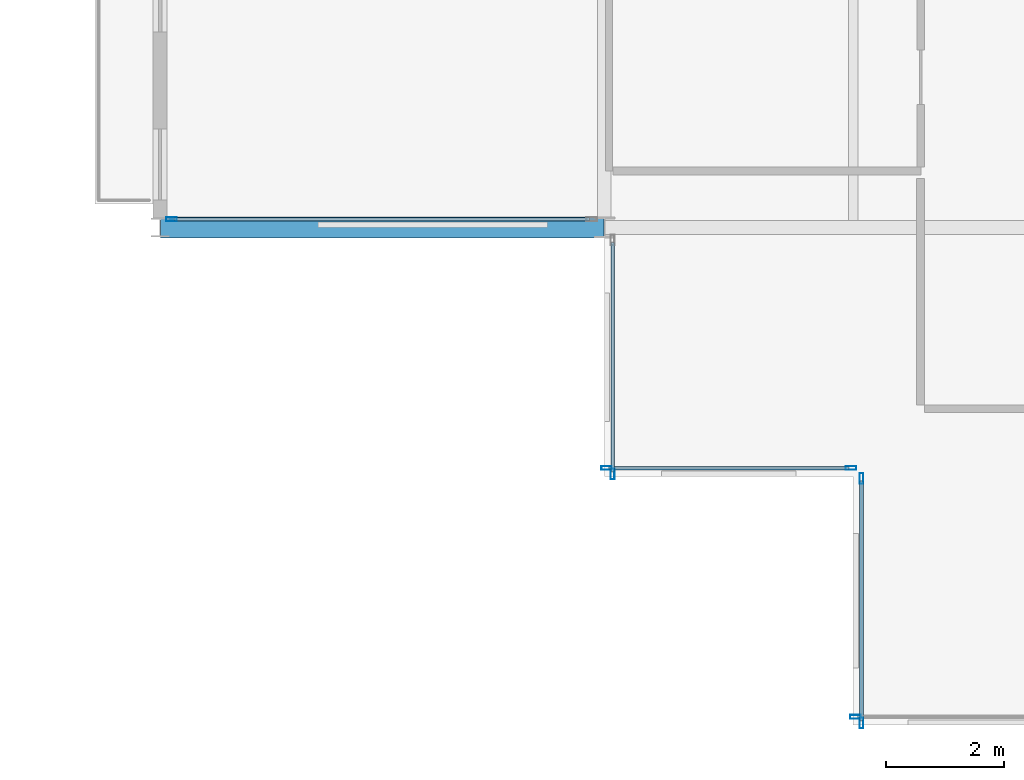
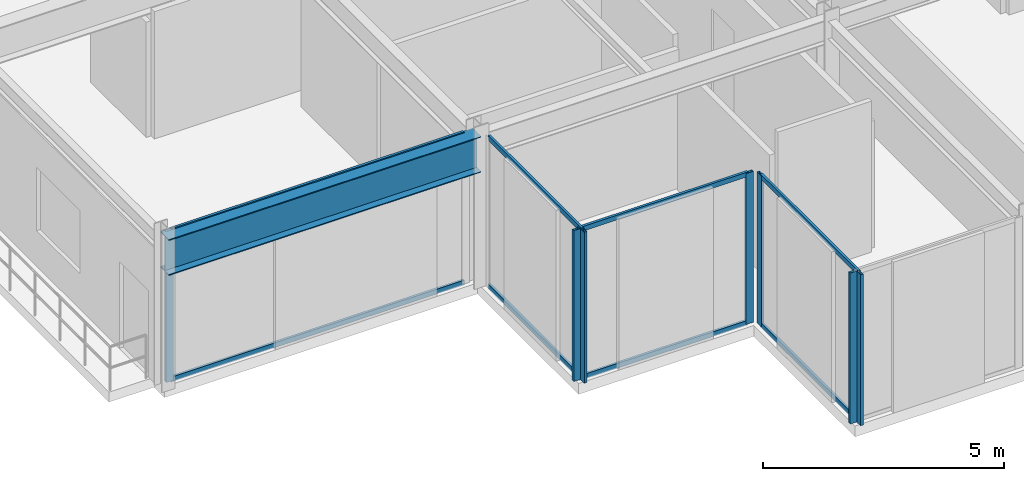
# One storey, part 3 of 29: 15 members, 1 beam, 5 elements without a shape of their own.
"""IFC4 building model written with IfcOpenShell, lengths in metres."""

from ifc_helpers import new_model, si_unit, direction, frame, origin, origin_2d, place, context, subcontext, project, spatial, hollow_rectangle, i_section, extrude, material, layer, layer_set, material_profile, profile_set, type_object, element, aggregate, save


model = new_model("IFC4")

# Units and contexts
model_context = context("Model", 3, precision=1e-05, world=origin(), true_north=direction((0.0, 1.0)))
body_context = subcontext(model_context, "Body", "Model", "MODEL_VIEW")
ifc_project = project(units=[si_unit("LENGTHUNIT", "METRE"), si_unit("AREAUNIT", "SQUARE_METRE"), si_unit("VOLUMEUNIT", "CUBIC_METRE"), si_unit("PLANEANGLEUNIT", "RADIAN"), si_unit("MASSUNIT", "GRAM", prefix="KILO")], contexts=[model_context])

# Site, building, storey
site_placement = place(None, origin())
site = spatial("IfcSite", under=ifc_project, at=site_placement, CompositionType="ELEMENT")
building_placement = place(site_placement, origin())
building = spatial("IfcBuilding", under=site, at=building_placement, Name="Nerrivon Quay Data Exchange", CompositionType="ELEMENT")
storey_placement = place(building_placement, frame((0.0, 0.0, 183.699951171875)))
storey = spatial("IfcBuildingStorey", under=building, at=storey_placement, Name="L43", CompositionType="ELEMENT", Elevation=183.699951171875)

# Beam
ifc_material_1 = material(Name="Steel Grade 350", Category="steel")
ifc_material_profile_1 = material_profile(ifc_material_1, i_section(OverallWidth=0.35009765625, OverallDepth=0.909912109375, WebThickness=0.011962890625, FlangeThickness=0.02490234375, at=origin_2d()), Name="900WB218")
ifc_profile_set_1 = profile_set([ifc_material_profile_1], Name="Steel Grade 350")
beam_type = type_object("IfcBeamType", Name="BM-CANT-900WB", PredefinedType="USERDEFINED", material=ifc_profile_set_1)
beam_placement = place(storey_placement, frame((-0.010009765625, 8.39990234375, 3.3701171875), z_axis=(-1.0, 0.0, 0.0), x_axis=(0.0, -1.0, 0.0)))
element("IfcBeam", 1, at=beam_placement, inside=storey, type_object=beam_type, Name="L43 West Hooked Cantilever Girder Y=8.4", ObjectType="TRANSFER", PredefinedType="USERDEFINED", context=body_context, shape_type="SweptSolid", body=[
    extrude(i_section(OverallWidth=0.35009765625, OverallDepth=0.909912109375, WebThickness=0.011962890625, FlangeThickness=0.02490234375, at=origin_2d()), origin(), (0.0, 0.0, 1.0), 7.482177734375),
])

# Curtain wall, member
ifc_material_2 = material(Name="Anodised aluminium 6063-T6", Category="aluminium")
ifc_layer_1 = layer(ifc_material_2, 0.195068359375)
ifc_layer_set_1 = layer_set([ifc_layer_1], Name="Anodised aluminium 6063-T6")
curtain_wall_type_1 = type_object("IfcCurtainWallType", Name="CW-SYS-06", PredefinedType="NOTDEFINED", material=ifc_layer_set_1)
curtain_wall_1_placement = place(storey_placement, origin())
curtain_wall_1 = element("IfcCurtainWall", 2, at=curtain_wall_1_placement, inside=storey, type_object=curtain_wall_type_1, Name="L43 Unitised Curtain Wall 28", PredefinedType="NOTDEFINED")
ifc_material_profile_2 = material_profile(ifc_material_2, hollow_rectangle(XDim=0.06494140625, YDim=0.179931640625, WallThickness=0.00341796875, at=origin_2d()), Name="ALU-MULL-180x65")
ifc_profile_set_2 = profile_set([ifc_material_profile_2], Name="Anodised aluminium 6063-T6")
member_type_1 = type_object("IfcMemberType", Name="CWM-180x65", PredefinedType="MULLION", material=ifc_profile_set_2)
member_1_placement = place(storey_placement, frame((4.237548828125, 0.139892578125, 0.0), z_axis=(0.0, 0.0, 1.0), x_axis=(0.0, -1.0, 0.0)))
member_1 = element("IfcMember", 3, at=member_1_placement, type_object=member_type_1, Name="CW06 mullion 2", PredefinedType="MULLION", context=body_context, shape_type="SweptSolid", body=[
    extrude(hollow_rectangle(XDim=0.06494140625, YDim=0.179931640625, WallThickness=0.00341796875, at=origin_2d()), origin(), (0.0, 0.0, 1.0), 3.824951171875),
])
aggregate(curtain_wall_1, [member_1])

# Curtain wall, members
curtain_wall_2_placement = place(storey_placement, origin())
curtain_wall_2 = element("IfcCurtainWall", 4, at=curtain_wall_2_placement, inside=storey, type_object=curtain_wall_type_1, Name="L43 Unitised Curtain Wall 29", PredefinedType="NOTDEFINED")
member_2_placement = place(storey_placement, frame((4.340087890625, 0.03759765625, 0.0), z_axis=(0.0, 0.0, 1.0), x_axis=(-1.0, 0.0, 0.0)))
member_2 = element("IfcMember", 5, at=member_2_placement, type_object=member_type_1, Name="CW06 mullion 1", PredefinedType="MULLION", context=body_context, shape_type="SweptSolid", body=[
    extrude(hollow_rectangle(XDim=0.06494140625, YDim=0.179931640625, WallThickness=0.00341796875, at=origin_2d()), origin(), (0.0, 0.0, 1.0), 3.824951171875),
])
member_3_placement = place(storey_placement, frame((4.340087890625, 4.16259765625, 0.0), z_axis=(0.0, 0.0, 1.0), x_axis=(-1.0, 0.0, 0.0)))
member_3 = element("IfcMember", 6, at=member_3_placement, type_object=member_type_1, Name="CW06 mullion 2", PredefinedType="MULLION", context=body_context, shape_type="SweptSolid", body=[
    extrude(hollow_rectangle(XDim=0.06494140625, YDim=0.179931640625, WallThickness=0.00341796875, at=origin_2d()), origin(), (0.0, 0.0, 1.0), 3.824951171875),
])

curtain_wall_3_placement = place(storey_placement, origin())
curtain_wall_3 = element("IfcCurtainWall", 7, at=curtain_wall_3_placement, inside=storey, type_object=curtain_wall_type_1, Name="L43 Unitised Curtain Wall 30", PredefinedType="NOTDEFINED")
member_4_placement = place(storey_placement, frame((4.16259765625, 4.340087890625, 0.0), z_axis=(0.0, 0.0, 1.0), x_axis=(0.0, -1.0, 0.0)))
member_4 = element("IfcMember", 8, at=member_4_placement, type_object=member_type_1, Name="CW06 mullion 1", PredefinedType="MULLION", context=body_context, shape_type="SweptSolid", body=[
    extrude(hollow_rectangle(XDim=0.06494140625, YDim=0.179931640625, WallThickness=0.00341796875, at=origin_2d()), origin(), (0.0, 0.0, 1.0), 3.824951171875),
])
member_5_placement = place(storey_placement, frame((0.03759765625, 4.340087890625, 0.0), z_axis=(0.0, 0.0, 1.0), x_axis=(0.0, -1.0, 0.0)))
member_5 = element("IfcMember", 9, at=member_5_placement, type_object=member_type_1, Name="CW06 mullion 2", PredefinedType="MULLION", context=body_context, shape_type="SweptSolid", body=[
    extrude(hollow_rectangle(XDim=0.06494140625, YDim=0.179931640625, WallThickness=0.00341796875, at=origin_2d()), origin(), (0.0, 0.0, 1.0), 3.824951171875),
])

# Curtain wall, member
curtain_wall_4_placement = place(storey_placement, origin())
curtain_wall_4 = element("IfcCurtainWall", 10, at=curtain_wall_4_placement, inside=storey, type_object=curtain_wall_type_1, Name="L43 Unitised Curtain Wall 31", PredefinedType="NOTDEFINED")
member_6_placement = place(storey_placement, frame((0.139892578125, 4.237548828125, 0.0), z_axis=(0.0, 0.0, 1.0), x_axis=(-1.0, 0.0, 0.0)))
member_6 = element("IfcMember", 11, at=member_6_placement, type_object=member_type_1, Name="CW06 mullion 1", PredefinedType="MULLION", context=body_context, shape_type="SweptSolid", body=[
    extrude(hollow_rectangle(XDim=0.06494140625, YDim=0.179931640625, WallThickness=0.00341796875, at=origin_2d()), origin(), (0.0, 0.0, 1.0), 3.824951171875),
])

ifc_layer_2 = layer(ifc_material_2, 0.199951171875)
ifc_layer_set_2 = layer_set([ifc_layer_2], Name="Anodised aluminium 6063-T6")
curtain_wall_type_2 = type_object("IfcCurtainWallType", Name="CW-SYS-04", PredefinedType="NOTDEFINED", material=ifc_layer_set_2)
curtain_wall_5_placement = place(storey_placement, origin())
curtain_wall_5 = element("IfcCurtainWall", 12, at=curtain_wall_5_placement, inside=storey, type_object=curtain_wall_type_2, Name="L43 Unitised Curtain Wall 32", PredefinedType="NOTDEFINED")
member_7_placement = place(storey_placement, frame((-7.306884765625, 8.5400390625, 0.0), z_axis=(0.0, 0.0, 1.0), x_axis=(0.0, -1.0, 0.0)))
member_7 = element("IfcMember", 13, at=member_7_placement, type_object=member_type_1, Name="CW04 mullion 2", PredefinedType="MULLION", context=body_context, shape_type="SweptSolid", body=[
    extrude(hollow_rectangle(XDim=0.06494140625, YDim=0.179931640625, WallThickness=0.00341796875, at=origin_2d()), origin(), (0.0, 0.0, 1.0), 3.824951171875),
])

# Member
ifc_material_profile_3 = material_profile(ifc_material_2, hollow_rectangle(XDim=0.06005859375, YDim=0.1201171875, WallThickness=0.003173828125, at=origin_2d()), Name="ALU-TRAN-120x60")
ifc_profile_set_3 = profile_set([ifc_material_profile_3], Name="Anodised aluminium 6063-T6")
member_type_2 = type_object("IfcMemberType", Name="CWT-120x60", PredefinedType="USERDEFINED", material=ifc_profile_set_3)
member_8_placement = place(storey_placement, frame((4.340087890625, 0.074951171875, 0.032470703125), z_axis=(0.0, 1.0, 0.0), x_axis=(-1.0, 0.0, 0.0)))
member_8 = element("IfcMember", 14, at=member_8_placement, type_object=member_type_2, Name="CW06 transom 1.1", ObjectType="TRANSOM", PredefinedType="USERDEFINED", context=body_context, shape_type="SweptSolid", body=[
    extrude(hollow_rectangle(XDim=0.06005859375, YDim=0.1201171875, WallThickness=0.003173828125, at=origin_2d()), origin(), (0.0, 0.0, 1.0), 4.050048828125),
])

member_9_placement = place(storey_placement, frame((4.340087890625, 0.074951171875, 3.79248046875), z_axis=(0.0, 1.0, 0.0), x_axis=(-1.0, 0.0, 0.0)))
member_9 = element("IfcMember", 15, at=member_9_placement, type_object=member_type_2, Name="CW06 transom 1.2", ObjectType="TRANSOM", PredefinedType="USERDEFINED", context=body_context, shape_type="SweptSolid", body=[
    extrude(hollow_rectangle(XDim=0.06005859375, YDim=0.1201171875, WallThickness=0.003173828125, at=origin_2d()), origin(), (0.0, 0.0, 1.0), 4.050048828125),
])

aggregate(curtain_wall_2, [member_2, member_3, member_8, member_9])

member_10_placement = place(storey_placement, frame((4.125, 4.340087890625, 0.032470703125), z_axis=(-1.0, 0.0, 0.0), x_axis=(0.0, -1.0, 0.0)))
member_10 = element("IfcMember", 16, at=member_10_placement, type_object=member_type_2, Name="CW06 transom 1.1", ObjectType="TRANSOM", PredefinedType="USERDEFINED", context=body_context, shape_type="SweptSolid", body=[
    extrude(hollow_rectangle(XDim=0.06005859375, YDim=0.1201171875, WallThickness=0.003173828125, at=origin_2d()), origin(), (0.0, 0.0, 1.0), 4.050048828125),
])

member_11_placement = place(storey_placement, frame((4.125, 4.340087890625, 3.79248046875), z_axis=(-1.0, 0.0, 0.0), x_axis=(0.0, -1.0, 0.0)))
member_11 = element("IfcMember", 17, at=member_11_placement, type_object=member_type_2, Name="CW06 transom 1.2", ObjectType="TRANSOM", PredefinedType="USERDEFINED", context=body_context, shape_type="SweptSolid", body=[
    extrude(hollow_rectangle(XDim=0.06005859375, YDim=0.1201171875, WallThickness=0.003173828125, at=origin_2d()), origin(), (0.0, 0.0, 1.0), 4.050048828125),
])

aggregate(curtain_wall_3, [member_4, member_5, member_10, member_11])

member_12_placement = place(storey_placement, frame((0.139892578125, 4.27490234375, 0.032470703125), z_axis=(0.0, 1.0, 0.0), x_axis=(-1.0, 0.0, 0.0)))
member_12 = element("IfcMember", 18, at=member_12_placement, type_object=member_type_2, Name="CW06 transom 1.1", ObjectType="TRANSOM", PredefinedType="USERDEFINED", context=body_context, shape_type="SweptSolid", body=[
    extrude(hollow_rectangle(XDim=0.06005859375, YDim=0.1201171875, WallThickness=0.003173828125, at=origin_2d()), origin(), (0.0, 0.0, 1.0), 3.875),
])

member_13_placement = place(storey_placement, frame((0.139892578125, 4.27490234375, 3.79248046875), z_axis=(0.0, 1.0, 0.0), x_axis=(-1.0, 0.0, 0.0)))
member_13 = element("IfcMember", 19, at=member_13_placement, type_object=member_type_2, Name="CW06 transom 1.2", ObjectType="TRANSOM", PredefinedType="USERDEFINED", context=body_context, shape_type="SweptSolid", body=[
    extrude(hollow_rectangle(XDim=0.06005859375, YDim=0.1201171875, WallThickness=0.003173828125, at=origin_2d()), origin(), (0.0, 0.0, 1.0), 3.875),
])

aggregate(curtain_wall_4, [member_6, member_12, member_13])

member_14_placement = place(storey_placement, frame((-0.25, 8.5400390625, 0.032470703125), z_axis=(-1.0, 0.0, 0.0), x_axis=(0.0, -1.0, 0.0)))
member_14 = element("IfcMember", 20, at=member_14_placement, type_object=member_type_2, Name="CW04 transom 1.1", ObjectType="TRANSOM", PredefinedType="USERDEFINED", context=body_context, shape_type="SweptSolid", body=[
    extrude(hollow_rectangle(XDim=0.06005859375, YDim=0.1201171875, WallThickness=0.003173828125, at=origin_2d()), origin(), (0.0, 0.0, 1.0), 7.01953125),
])

member_15_placement = place(storey_placement, frame((-0.25, 8.5400390625, 3.79248046875), z_axis=(-1.0, 0.0, 0.0), x_axis=(0.0, -1.0, 0.0)))
member_15 = element("IfcMember", 21, at=member_15_placement, type_object=member_type_2, Name="CW04 transom 1.2", ObjectType="TRANSOM", PredefinedType="USERDEFINED", context=body_context, shape_type="SweptSolid", body=[
    extrude(hollow_rectangle(XDim=0.06005859375, YDim=0.1201171875, WallThickness=0.003173828125, at=origin_2d()), origin(), (0.0, 0.0, 1.0), 7.01953125),
])

aggregate(curtain_wall_5, [member_7, member_14, member_15])

save(model, "model.ifc")
